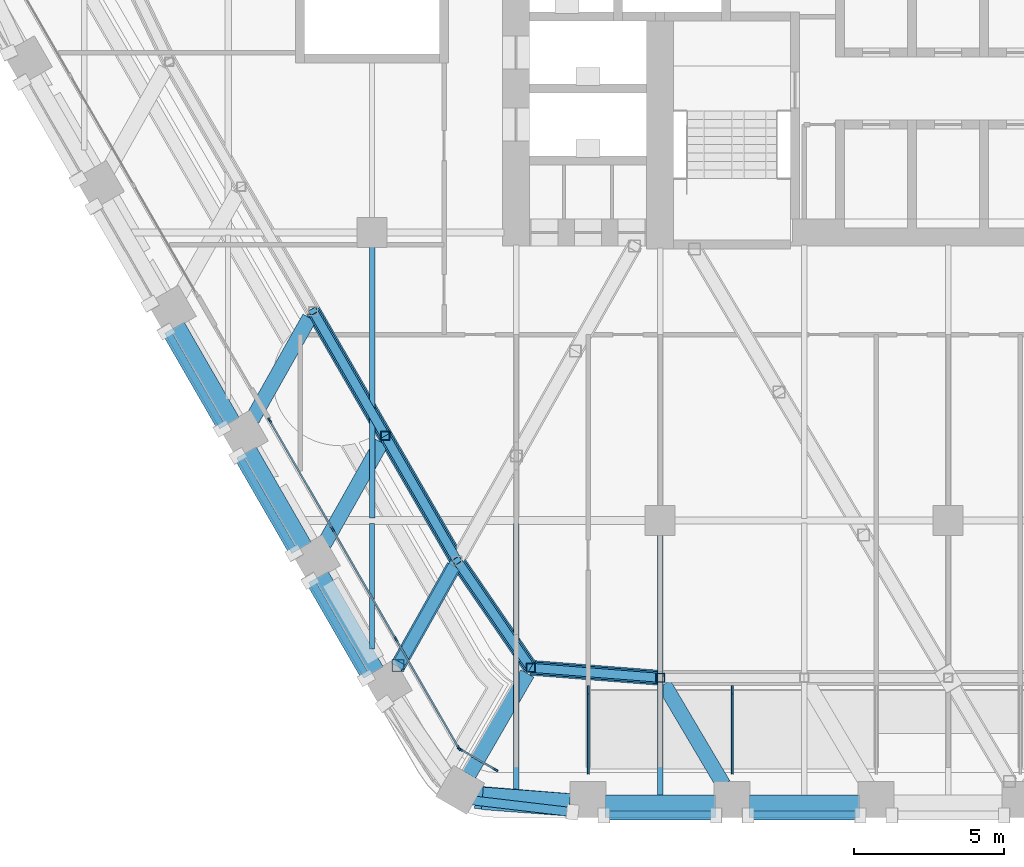
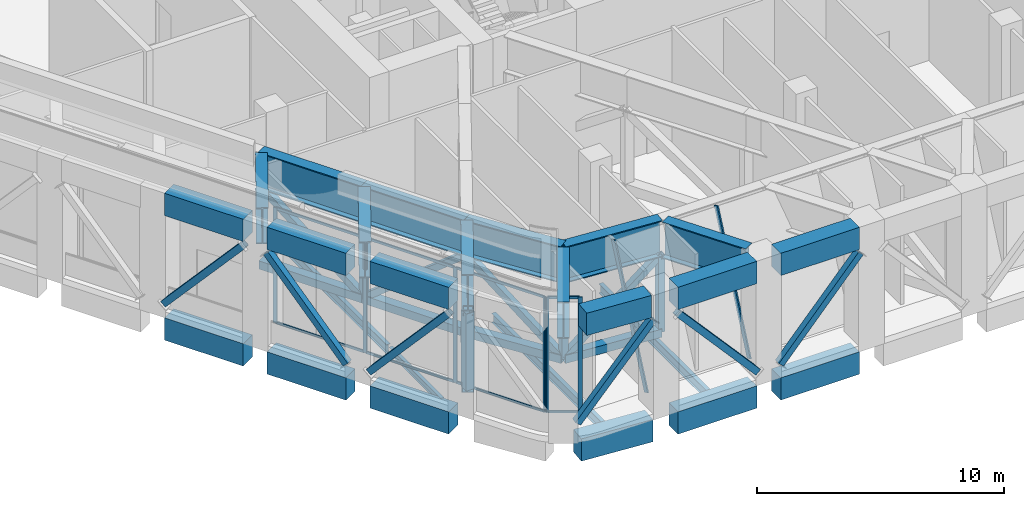
# One storey, part 2 of 27: 36 members, 25 beams, 3 elements without a shape of their own.
"""IFC4 building model written with IfcOpenShell, lengths in metres."""

from ifc_helpers import new_model, si_unit, direction, frame, origin, origin_2d, place, context, subcontext, project, spatial, rectangle, hollow_rectangle, i_section, extrude, material, material_profile, profile_set, type_object, element, aggregate, save


model = new_model("IFC4")

# Units and contexts
model_context = context("Model", 3, precision=1e-05, world=origin(), true_north=direction((0.0, 1.0)))
body_context = subcontext(model_context, "Body", "Model", "MODEL_VIEW")
ifc_project = project(units=[si_unit("LENGTHUNIT", "METRE"), si_unit("AREAUNIT", "SQUARE_METRE"), si_unit("VOLUMEUNIT", "CUBIC_METRE"), si_unit("PLANEANGLEUNIT", "RADIAN"), si_unit("MASSUNIT", "GRAM", prefix="KILO")], contexts=[model_context])

# Site, building, storey
site_placement = place(None, origin())
site = spatial("IfcSite", under=ifc_project, at=site_placement, CompositionType="ELEMENT")
building_placement = place(site_placement, origin())
building = spatial("IfcBuilding", under=site, at=building_placement, Name="Kolab Exchange Tower", CompositionType="ELEMENT")
storey_placement = place(building_placement, frame((0.0, 0.0, 127.39990234375)))
storey = spatial("IfcBuildingStorey", under=building, at=storey_placement, Name="L25", CompositionType="ELEMENT", Elevation=127.39990234375)

# Members
ifc_material_1 = material(Name="Steel S355", Category="steel")
ifc_material_profile_1 = material_profile(ifc_material_1, hollow_rectangle(XDim=0.300048828125, YDim=0.300048828125, WallThickness=0.01611328125, at=origin_2d()), Name="HSS300X300X16")
ifc_profile_set_1 = profile_set([ifc_material_profile_1], Name="Steel S355")
member_type_1 = type_object("IfcMemberType", Name="BELT TRUSS BRACE HSS300X300X16", PredefinedType="BRACE", material=ifc_profile_set_1)
for number, where, z_axis, x_axis, name in (
    (1, (-9.60009765625, -24.44140625, 4.050048828125), (-0.749417906102, 0.058094082849, -0.659543690404), (-0.077287073139, -0.997008880766, 0.0), "mem/L25/ring/d-F4-06"),
    (2, (-13.91796875, -24.106689453125, 0.25), (-0.425043766776, 0.619959660224, 0.659536061198), (-0.824773170365, -0.565463718948, 0.0), "mem/L25/ring/d-F5-01"),
):
    element("IfcMember", number, at=place(storey_placement, frame(where, z_axis=z_axis, x_axis=x_axis)), inside=storey, type_object=member_type_1, Name=name, PredefinedType="BRACE", context=body_context, shape_type="SweptSolid", body=[
        extrude(hollow_rectangle(XDim=0.300048828125, YDim=0.300048828125, WallThickness=0.01611328125, at=origin_2d()), origin(), (0.0, 0.0, 1.0), 5.76171875),
    ])
member_1_placement = place(storey_placement, frame((-16.366943359375, -20.53466796875, 4.050048828125), z_axis=(-0.392038591319, 0.678999195849, -0.620697861244), x_axis=(-0.866015339567, -0.500017431331, 0.0)))
element("IfcMember", 3, at=member_1_placement, inside=storey, type_object=member_type_1, Name="mem/L25/ring/d-F5-02", PredefinedType="BRACE", context=body_context, shape_type="SweptSolid", body=[
    extrude(hollow_rectangle(XDim=0.300048828125, YDim=0.300048828125, WallThickness=0.01611328125, at=origin_2d()), origin(), (0.0, 0.0, 1.0), 6.122314453125),
])
member_2_placement = place(storey_placement, frame((-18.76708984375, -16.377685546875, 0.25), z_axis=(-0.392004841722, 0.679009810783, 0.620707564741), x_axis=(-0.866037363387, -0.499979284789, 0.0)))
element("IfcMember", 4, at=member_2_placement, inside=storey, type_object=member_type_1, Name="mem/L25/ring/d-F5-03", PredefinedType="BRACE", context=body_context, shape_type="SweptSolid", body=[
    extrude(hollow_rectangle(XDim=0.300048828125, YDim=0.300048828125, WallThickness=0.01611328125, at=origin_2d()), origin(), (0.0, 0.0, 1.0), 6.1220703125),
])
for number, where, z_axis, x_axis, name in (
    (5, (-2.937744140625, -29.026611328125, 4.60009765625), (-0.663475226758, 0.0, -0.748198251453), (0.0, -1.0, 0.0), "mem/L25/fb/F4-05"),
    (6, (-7.73779296875, -29.026611328125, 0.400146484375), (-0.663475226758, 0.0, 0.748198251453), (0.0, -1.0, 0.0), "mem/L25/fb/F4-06"),
):
    element("IfcMember", number, at=place(storey_placement, frame(where, z_axis=z_axis, x_axis=x_axis)), inside=storey, type_object=member_type_1, Name=name, PredefinedType="BRACE", context=body_context, shape_type="SweptSolid", body=[
        extrude(hollow_rectangle(XDim=0.300048828125, YDim=0.300048828125, WallThickness=0.01611328125, at=origin_2d()), origin(), (0.0, 0.0, 1.0), 5.613525390625),
    ])
member_3_placement = place(storey_placement, frame((-12.5361328125, -28.91796875, 4.60009765625), z_axis=(-0.618051289973, 0.072711916467, -0.782767896739), x_axis=(-0.116841247567, -0.993150604323, 0.0)))
element("IfcMember", 7, at=member_3_placement, inside=storey, type_object=member_type_1, Name="mem/L25/fb/F4-07", PredefinedType="BRACE", context=body_context, shape_type="SweptSolid", body=[
    extrude(hollow_rectangle(XDim=0.300048828125, YDim=0.300048828125, WallThickness=0.01611328125, at=origin_2d()), origin(), (0.0, 0.0, 1.0), 5.365478515625),
])
member_4_placement = place(storey_placement, frame((-19.40673828125, -24.43994140625, 4.60009765625), z_axis=(-0.331720063492, 0.574584208573, -0.748207716303), x_axis=(-0.866036031404, -0.49998159197, 0.0)))
element("IfcMember", 8, at=member_4_placement, inside=storey, type_object=member_type_1, Name="mem/L25/fb/F5-02", PredefinedType="BRACE", context=body_context, shape_type="SweptSolid", body=[
    extrude(hollow_rectangle(XDim=0.300048828125, YDim=0.300048828125, WallThickness=0.01611328125, at=origin_2d()), origin(), (0.0, 0.0, 1.0), 5.61328125),
])
member_5_placement = place(storey_placement, frame((-21.806640625, -20.282958984375, 0.400146484375), z_axis=(-0.33175876964, 0.574575918421, 0.748196921096), x_axis=(-0.866007645851, -0.500030756381, 0.0)))
element("IfcMember", 9, at=member_5_placement, inside=storey, type_object=member_type_1, Name="mem/L25/fb/F5-03", PredefinedType="BRACE", context=body_context, shape_type="SweptSolid", body=[
    extrude(hollow_rectangle(XDim=0.300048828125, YDim=0.300048828125, WallThickness=0.01611328125, at=origin_2d()), origin(), (0.0, 0.0, 1.0), 5.613525390625),
])
member_6_placement = place(storey_placement, frame((-24.206787109375, -16.1259765625, 4.60009765625), z_axis=(-0.331720063492, 0.574584208573, -0.748207716303), x_axis=(-0.866036031404, -0.49998159197, 0.0)))
element("IfcMember", 10, at=member_6_placement, inside=storey, type_object=member_type_1, Name="mem/L25/fb/F5-04", PredefinedType="BRACE", context=body_context, shape_type="SweptSolid", body=[
    extrude(hollow_rectangle(XDim=0.300048828125, YDim=0.300048828125, WallThickness=0.01611328125, at=origin_2d()), origin(), (0.0, 0.0, 1.0), 5.61328125),
])
ifc_material_profile_2 = material_profile(ifc_material_1, hollow_rectangle(XDim=0.39990234375, YDim=0.39990234375, WallThickness=0.02001953125, at=origin_2d()), Name="HSS400X400X20")
ifc_profile_set_2 = profile_set([ifc_material_profile_2], Name="Steel S355")
member_type_2 = type_object("IfcMemberType", Name="BELT TRUSS CHORD HSS400X400X20", PredefinedType="CHORD", material=ifc_profile_set_2)
for number, where, z_axis, x_axis, name in (
    (11, (-9.60009765625, -24.44140625, 0.25), (-0.997008880766, 0.077287073139, 0.0), (-0.077287073139, -0.997008880766, 0.0), "mem/L25/ring/c-F4-06"),
    (12, (-13.91796875, -24.106689453125, 0.25), (-0.565463718948, 0.824773170365, 0.0), (-0.824773170365, -0.565463718948, 0.0), "mem/L25/ring/c-F5-01"),
):
    element("IfcMember", number, at=place(storey_placement, frame(where, z_axis=z_axis, x_axis=x_axis)), inside=storey, type_object=member_type_2, Name=name, PredefinedType="CHORD", context=body_context, shape_type="SweptSolid", body=[
        extrude(hollow_rectangle(XDim=0.39990234375, YDim=0.39990234375, WallThickness=0.02001953125, at=origin_2d()), origin(), (0.0, 0.0, 1.0), 4.330810546875),
    ])
for number, where, z_axis, x_axis, name in (
    (13, (-16.366943359375, -20.53466796875, 0.25), (-0.500017431331, 0.866015339567, 0.0), (-0.866015339567, -0.500017431331, 0.0), "mem/L25/ring/c-F5-02"),
    (14, (-18.76708984375, -16.377685546875, 0.25), (-0.499979284789, 0.866037363387, 0.0), (-0.866037363387, -0.499979284789, 0.0), "mem/L25/ring/c-F5-03"),
):
    element("IfcMember", number, at=place(storey_placement, frame(where, z_axis=z_axis, x_axis=x_axis)), inside=storey, type_object=member_type_2, Name=name, PredefinedType="CHORD", context=body_context, shape_type="SweptSolid", body=[
        extrude(hollow_rectangle(XDim=0.39990234375, YDim=0.39990234375, WallThickness=0.02001953125, at=origin_2d()), origin(), (0.0, 0.0, 1.0), 4.800048828125),
    ])

# Beams
ifc_material_profile_3 = material_profile(ifc_material_1, i_section(OverallWidth=0.5, OverallDepth=1.800048828125, WebThickness=0.031982421875, FlangeThickness=0.050048828125, at=origin_2d()), Name="PG1800X500")
ifc_profile_set_3 = profile_set([ifc_material_profile_3], Name="Steel S355")
beam_type_1 = type_object("IfcBeamType", Name="BELT TRUSS GIRDER PG1800X500", PredefinedType="BEAM", material=ifc_profile_set_3)
for number, where, z_axis, x_axis, name in (
    (15, (-9.60009765625, -24.44140625, 4.9501953125), (-0.997008880766, 0.077287073139, 0.0), (-0.077287073139, -0.997008880766, 0.0), "beam/L25/bg/F4-out"),
    (16, (-13.91796875, -24.106689453125, 4.9501953125), (-0.565463718948, 0.824773170365, 0.0), (-0.824773170365, -0.565463718948, 0.0), "beam/L25/bg/F5-in"),
):
    element("IfcBeam", number, at=place(storey_placement, frame(where, z_axis=z_axis, x_axis=x_axis)), inside=storey, type_object=beam_type_1, Name=name, PredefinedType="BEAM", context=body_context, shape_type="SweptSolid", body=[
        extrude(i_section(OverallWidth=0.5, OverallDepth=1.800048828125, WebThickness=0.031982421875, FlangeThickness=0.050048828125, at=origin_2d()), origin(), (0.0, 0.0, 1.0), 4.330810546875),
    ])
for number, where, z_axis, x_axis, name in (
    (17, (-16.366943359375, -20.53466796875, 4.9501953125), (-0.500017431331, 0.866015339567, 0.0), (-0.866015339567, -0.500017431331, 0.0), "beam/L25/bg/F5-run0"),
    (18, (-18.76708984375, -16.377685546875, 4.9501953125), (-0.499979284789, 0.866037363387, 0.0), (-0.866037363387, -0.499979284789, 0.0), "beam/L25/bg/F5-run1"),
):
    element("IfcBeam", number, at=place(storey_placement, frame(where, z_axis=z_axis, x_axis=x_axis)), inside=storey, type_object=beam_type_1, Name=name, PredefinedType="BEAM", context=body_context, shape_type="SweptSolid", body=[
        extrude(i_section(OverallWidth=0.5, OverallDepth=1.800048828125, WebThickness=0.031982421875, FlangeThickness=0.050048828125, at=origin_2d()), origin(), (0.0, 0.0, 1.0), 4.800048828125),
    ])

# Members
ifc_material_profile_4 = material_profile(ifc_material_1, hollow_rectangle(XDim=0.300048828125, YDim=0.300048828125, WallThickness=0.01611328125, at=origin_2d()), Name="HSS300X300X16")
ifc_profile_set_4 = profile_set([ifc_material_profile_4], Name="Steel S355")
member_type_3 = type_object("IfcMemberType", Name="BELT TRUSS POST HSS300X300X16", PredefinedType="POST", material=ifc_profile_set_4)
for number, where, z_axis, x_axis, name in (
    (19, (-9.60009765625, -24.44140625, 0.25), (0.0, 0.0, 1.0), (1.0, 0.0, 0.0), "mem/L25/ring/p-F4-06"),
    (20, (-13.91796875, -24.106689453125, 0.25), (0.0, 0.0, 1.0), (1.0, 0.0, 0.0), "mem/L25/ring/p-F5-01"),
    (21, (-18.76708984375, -16.377685546875, 0.25), (0.0, 0.0, 1.0), (1.0, 0.0, 0.0), "mem/L25/ring/p-F5-03"),
):
    element("IfcMember", number, at=place(storey_placement, frame(where, z_axis=z_axis, x_axis=x_axis)), inside=storey, type_object=member_type_3, Name=name, PredefinedType="POST", context=body_context, shape_type="SweptSolid", body=[
        extrude(hollow_rectangle(XDim=0.300048828125, YDim=0.300048828125, WallThickness=0.01611328125, at=origin_2d()), origin(), (0.0, 0.0, 1.0), 3.800048828125),
    ])

# Curtain wall, members
ifc_material_2 = material(Name="Aluminium EN AW-6063 T6", Category="aluminium")
curtain_wall_type_1 = type_object("IfcCurtainWallType", Name="CANTED BAND CURTAIN WALL", PredefinedType="NOTDEFINED", material=ifc_material_2)
curtain_wall_1_placement = place(storey_placement, origin())
curtain_wall_1 = element("IfcCurtainWall", 22, at=curtain_wall_1_placement, inside=storey, type_object=curtain_wall_type_1, Name="band/L25/F4", PredefinedType="NOTDEFINED")
ifc_material_profile_5 = material_profile(ifc_material_2, rectangle(XDim=0.06005859375, YDim=0.300048828125, at=origin_2d()), Name="RECT 60X300")
ifc_profile_set_5 = profile_set([ifc_material_profile_5], Name="Aluminium EN AW-6063 T6")
member_type_4 = type_object("IfcMemberType", Name="CANTED BAND MULLION 60 X 300", PredefinedType="MULLION", material=ifc_profile_set_5)
member_7_placement = place(storey_placement, frame((-7.199951171875, -27.5185546875, -0.099853515625), z_axis=(0.0, 0.410878778787, 0.911689985216), x_axis=(-1.0, 0.0, 0.0)))
member_7 = element("IfcMember", 23, at=member_7_placement, type_object=member_type_4, Name="Band mullion", PredefinedType="MULLION", context=body_context, shape_type="SweptSolid", body=[
    extrude(rectangle(XDim=0.06005859375, YDim=0.300048828125, at=origin_2d()), origin(), (0.0, 0.0, 1.0), 6.515380859375),
])
member_8_placement = place(storey_placement, frame((-12.0, -27.5185546875, -0.099853515625), z_axis=(0.0, 0.410878778787, 0.911689985216), x_axis=(-1.0, 0.0, 0.0)))
member_8 = element("IfcMember", 24, at=member_8_placement, type_object=member_type_4, Name="Band mullion", PredefinedType="MULLION", context=body_context, shape_type="SweptSolid", body=[
    extrude(rectangle(XDim=0.06005859375, YDim=0.300048828125, at=origin_2d()), origin(), (0.0, 0.0, 1.0), 6.515380859375),
])
aggregate(curtain_wall_1, [member_7, member_8])

# Beams
ifc_material_profile_6 = material_profile(ifc_material_1, i_section(OverallWidth=0.1650390625, OverallDepth=0.31005859375, WebThickness=0.005859375, FlangeThickness=0.009765625, at=origin_2d()), Name="W310X39")
ifc_profile_set_6 = profile_set([ifc_material_profile_6], Name="Steel S355")
beam_type_2 = type_object("IfcBeamType", Name="FLOOR BEAM W310X39", PredefinedType="BEAM", material=ifc_profile_set_6)
beam_1_placement = place(storey_placement, frame((-19.199951171875, -23.4814453125, -0.454833984375), z_axis=(0.0, 1.0, 0.0), x_axis=(-1.0, 0.0, 0.0)))
element("IfcBeam", 25, at=beam_1_placement, inside=storey, type_object=beam_type_2, Name="beam/L25/fr/006", PredefinedType="BEAM", context=body_context, shape_type="SweptSolid", body=[
    extrude(i_section(OverallWidth=0.1650390625, OverallDepth=0.31005859375, WebThickness=0.005859375, FlangeThickness=0.009765625, at=origin_2d()), origin(), (0.0, 0.0, 1.0), 4.18798828125),
])
ifc_material_profile_7 = material_profile(ifc_material_1, i_section(OverallWidth=0.18994140625, OverallDepth=0.45703125, WebThickness=0.009033203125, FlangeThickness=0.014404296875, at=origin_2d()), Name="W460X74")
ifc_profile_set_7 = profile_set([ifc_material_profile_7], Name="Steel S355")
beam_type_3 = type_object("IfcBeamType", Name="FLOOR BEAM W460X74", PredefinedType="BEAM", material=ifc_profile_set_7)
beam_2_placement = place(storey_placement, frame((-19.199951171875, -19.1064453125, -0.5283203125), z_axis=(0.0, 1.0, 0.0), x_axis=(-1.0, 0.0, 0.0)))
element("IfcBeam", 26, at=beam_2_placement, inside=storey, type_object=beam_type_3, Name="beam/L25/fr/007", PredefinedType="BEAM", context=body_context, shape_type="SweptSolid", body=[
    extrude(i_section(OverallWidth=0.18994140625, OverallDepth=0.45703125, WebThickness=0.009033203125, FlangeThickness=0.014404296875, at=origin_2d()), origin(), (0.0, 0.0, 1.0), 9.04638671875),
])
beam_3_placement = place(storey_placement, frame((-14.39990234375, -28.194580078125, -0.5283203125), z_axis=(0.0, 1.0, 0.0), x_axis=(-1.0, 0.0, 0.0)))
element("IfcBeam", 27, at=beam_3_placement, inside=storey, type_object=beam_type_3, Name="beam/L25/fr/012", PredefinedType="BEAM", context=body_context, shape_type="SweptSolid", body=[
    extrude(i_section(OverallWidth=0.18994140625, OverallDepth=0.45703125, WebThickness=0.009033203125, FlangeThickness=0.014404296875, at=origin_2d()), origin(), (0.0, 0.0, 1.0), 8.901123046875),
])
beam_4_placement = place(storey_placement, frame((-9.60009765625, -28.388427734375, -0.5283203125), z_axis=(0.0, 1.0, 0.0), x_axis=(-1.0, 0.0, 0.0)))
element("IfcBeam", 28, at=beam_4_placement, inside=storey, type_object=beam_type_3, Name="beam/L25/fr/016", PredefinedType="BEAM", context=body_context, shape_type="SweptSolid", body=[
    extrude(i_section(OverallWidth=0.18994140625, OverallDepth=0.45703125, WebThickness=0.009033203125, FlangeThickness=0.014404296875, at=origin_2d()), origin(), (0.0, 0.0, 1.0), 8.728515625),
])

# Members
ifc_material_profile_8 = material_profile(ifc_material_1, hollow_rectangle(XDim=0.39990234375, YDim=0.39990234375, WallThickness=0.02001953125, at=origin_2d()), Name="HSS400X400X20")
ifc_profile_set_8 = profile_set([ifc_material_profile_8], Name="Steel S355")
member_type_5 = type_object("IfcMemberType", Name="OUTRIGGER BRACE HSS400X400X20", PredefinedType="BRACE", material=ifc_profile_set_8)
member_9_placement = place(storey_placement, frame((-16.47021484375, -20.717529296875, 0.25), z_axis=(-0.347285416227, -0.61663473787, 0.70650862679), x_axis=(0.871316769702, -0.490720986749, 0.0)))
element("IfcMember", 29, at=member_9_placement, inside=storey, type_object=member_type_5, Name="mem/L25/out/04/d03", PredefinedType="BRACE", context=body_context, shape_type="SweptSolid", body=[
    extrude(hollow_rectangle(XDim=0.39990234375, YDim=0.39990234375, WallThickness=0.02001953125, at=origin_2d()), origin(), (0.0, 0.0, 1.0), 5.378662109375),
])
ifc_material_profile_9 = material_profile(ifc_material_1, hollow_rectangle(XDim=0.5, YDim=0.5, WallThickness=0.02490234375, at=origin_2d()), Name="HSS500X500X25")
ifc_profile_set_9 = profile_set([ifc_material_profile_9], Name="Steel S355")
member_type_6 = type_object("IfcMemberType", Name="OUTRIGGER CHORD HSS500X500X25", PredefinedType="CHORD", material=ifc_profile_set_9)
member_10_placement = place(storey_placement, frame((-16.47021484375, -20.717529296875, 0.25), z_axis=(-0.490720986749, -0.871316769702, 0.0), x_axis=(0.871316769702, -0.490720986749, 0.0)))
element("IfcMember", 30, at=member_10_placement, inside=storey, type_object=member_type_6, Name="mem/L25/out/04/c03", PredefinedType="CHORD", context=body_context, shape_type="SweptSolid", body=[
    extrude(hollow_rectangle(XDim=0.5, YDim=0.5, WallThickness=0.02490234375, at=origin_2d()), origin(), (0.0, 0.0, 1.0), 3.806396484375),
])

# Beam
ifc_material_profile_10 = material_profile(ifc_material_1, i_section(OverallWidth=0.5, OverallDepth=1.800048828125, WebThickness=0.031982421875, FlangeThickness=0.050048828125, at=origin_2d()), Name="PG1800X500")
ifc_profile_set_10 = profile_set([ifc_material_profile_10], Name="Steel S355")
beam_type_4 = type_object("IfcBeamType", Name="OUTRIGGER GIRDER PG1800X500", PredefinedType="BEAM", material=ifc_profile_set_10)
beam_5_placement = place(storey_placement, frame((-16.47021484375, -20.717529296875, 4.9501953125), z_axis=(-0.490743303996, -0.87130420037, 0.0), x_axis=(0.87130420037, -0.490743303996, 0.0)))
element("IfcBeam", 31, at=beam_5_placement, inside=storey, type_object=beam_type_4, Name="beam/L25/og/04-03", PredefinedType="BEAM", context=body_context, shape_type="SweptSolid", body=[
    extrude(i_section(OverallWidth=0.5, OverallDepth=1.800048828125, WebThickness=0.031982421875, FlangeThickness=0.050048828125, at=origin_2d()), origin(), (0.0, 0.0, 1.0), 3.8466796875),
])

# Member
ifc_material_profile_11 = material_profile(ifc_material_1, hollow_rectangle(XDim=0.39990234375, YDim=0.39990234375, WallThickness=0.02001953125, at=origin_2d()), Name="HSS400X400X20")
ifc_profile_set_11 = profile_set([ifc_material_profile_11], Name="Steel S355")
member_type_7 = type_object("IfcMemberType", Name="OUTRIGGER POST HSS400X400X20", PredefinedType="POST", material=ifc_profile_set_11)
member_11_placement = place(storey_placement, frame((-18.338134765625, -24.0341796875, 0.25), z_axis=(0.0, 0.0, 1.0), x_axis=(1.0, 0.0, 0.0)))
element("IfcMember", 32, at=member_11_placement, inside=storey, type_object=member_type_7, Name="mem/L25/out/04/p04", PredefinedType="POST", context=body_context, shape_type="SweptSolid", body=[
    extrude(hollow_rectangle(XDim=0.39990234375, YDim=0.39990234375, WallThickness=0.02001953125, at=origin_2d()), origin(), (0.0, 0.0, 1.0), 3.800048828125),
])

# Beams
ifc_material_3 = material(Name="Concrete C70/85", Category="concrete")
ifc_material_profile_12 = material_profile(ifc_material_3, rectangle(XDim=0.75, YDim=1.10009765625, at=origin_2d()), Name="RC750X1100")
ifc_profile_set_12 = profile_set([ifc_material_profile_12], Name="Concrete C70/85")
beam_type_5 = type_object("IfcBeamType", Name="SPANDREL BEAM 750X1100 C70/85", PredefinedType="BEAM", material=ifc_profile_set_12)
for number, where, z_axis, x_axis, name in (
    (33, (-2.9599609375, -28.723388671875, -0.849853515625), (-1.0, 0.0, 0.0), (0.0, -1.0, 0.0), "beam/L25/sp/F4-05"),
    (34, (-7.760009765625, -28.723388671875, -0.849853515625), (-1.0, 0.0, 0.0), (0.0, -1.0, 0.0), "beam/L25/sp/F4-06"),
):
    element("IfcBeam", number, at=place(storey_placement, frame(where, z_axis=z_axis, x_axis=x_axis)), inside=storey, type_object=beam_type_5, Name=name, PredefinedType="BEAM", context=body_context, shape_type="SweptSolid", body=[
        extrude(rectangle(XDim=0.75, YDim=1.10009765625, at=origin_2d()), origin(), (0.0, 0.0, 1.0), 3.679931640625),
    ])
beam_6_placement = place(storey_placement, frame((-12.56005859375, -28.678466796875, -0.849853515625), z_axis=(-0.996791038408, 0.080047646748, 0.0), x_axis=(-0.080047646748, -0.996791038408, 0.0)))
element("IfcBeam", 35, at=beam_6_placement, inside=storey, type_object=beam_type_5, Name="beam/L25/sp/F4-07", PredefinedType="BEAM", context=body_context, shape_type="SweptSolid", body=[
    extrude(rectangle(XDim=0.75, YDim=1.10009765625, at=origin_2d()), origin(), (0.0, 0.0, 1.0), 3.20849609375),
])
for number, where, z_axis, x_axis, name in (
    (36, (-19.1552734375, -24.26904296875, -0.849853515625), (-0.500013413428, 0.866017659399, 0.0), (-0.866017659399, -0.500013413428, 0.0), "beam/L25/sp/F5-02"),
    (37, (-21.55517578125, -20.112060546875, -0.849853515625), (-0.500013413428, 0.866017659399, 0.0), (-0.866017659399, -0.500013413428, 0.0), "beam/L25/sp/F5-03"),
):
    element("IfcBeam", number, at=place(storey_placement, frame(where, z_axis=z_axis, x_axis=x_axis)), inside=storey, type_object=beam_type_5, Name=name, PredefinedType="BEAM", context=body_context, shape_type="SweptSolid", body=[
        extrude(rectangle(XDim=0.75, YDim=1.10009765625, at=origin_2d()), origin(), (0.0, 0.0, 1.0), 3.68017578125),
    ])
for number, where, z_axis, x_axis, name in (
    (38, (-23.955322265625, -15.955322265625, -0.849853515625), (-0.499963655964, 0.866046386007, 0.0), (-0.866046386007, -0.499963655964, 0.0), "beam/L25/sp/F5-04"),
    (39, (-2.9599609375, -28.723388671875, 5.300048828125), (-1.0, 0.0, 0.0), (0.0, -1.0, 0.0), "beam/L25/cp/F4-05"),
    (40, (-7.760009765625, -28.723388671875, 5.300048828125), (-1.0, 0.0, 0.0), (0.0, -1.0, 0.0), "beam/L25/cp/F4-06"),
):
    element("IfcBeam", number, at=place(storey_placement, frame(where, z_axis=z_axis, x_axis=x_axis)), inside=storey, type_object=beam_type_5, Name=name, PredefinedType="BEAM", context=body_context, shape_type="SweptSolid", body=[
        extrude(rectangle(XDim=0.75, YDim=1.10009765625, at=origin_2d()), origin(), (0.0, 0.0, 1.0), 3.679931640625),
    ])
beam_7_placement = place(storey_placement, frame((-12.61865234375, -28.677490234375, 5.300048828125), z_axis=(-0.997175372509, 0.075108431366, 0.0), x_axis=(-0.075108431366, -0.997175372509, 0.0)))
element("IfcBeam", 41, at=beam_7_placement, inside=storey, type_object=beam_type_5, Name="beam/L25/cp/F4-07", PredefinedType="BEAM", context=body_context, shape_type="SweptSolid", body=[
    extrude(rectangle(XDim=0.75, YDim=1.10009765625, at=origin_2d()), origin(), (0.0, 0.0, 1.0), 2.915771484375),
])
for number, where, z_axis, x_axis, name in (
    (42, (-19.1552734375, -24.26904296875, 5.300048828125), (-0.499963655964, 0.866046386007, 0.0), (-0.866046386007, -0.499963655964, 0.0), "beam/L25/cp/F5-02"),
    (43, (-21.55517578125, -20.112060546875, 5.300048828125), (-0.500042141888, 0.866001071787, 0.0), (-0.866001071787, -0.500042141888, 0.0), "beam/L25/cp/F5-03"),
    (44, (-23.955078125, -15.955078125, 5.300048828125), (-0.500042141888, 0.866001071787, 0.0), (-0.866001071787, -0.500042141888, 0.0), "beam/L25/cp/F5-04"),
):
    element("IfcBeam", number, at=place(storey_placement, frame(where, z_axis=z_axis, x_axis=x_axis)), inside=storey, type_object=beam_type_5, Name=name, PredefinedType="BEAM", context=body_context, shape_type="SweptSolid", body=[
        extrude(rectangle(XDim=0.75, YDim=1.10009765625, at=origin_2d()), origin(), (0.0, 0.0, 1.0), 3.679931640625),
    ])
ifc_material_profile_13 = material_profile(ifc_material_1, i_section(OverallWidth=0.5, OverallDepth=1.800048828125, WebThickness=0.031982421875, FlangeThickness=0.050048828125, at=origin_2d()), Name="PG1800X500")
ifc_profile_set_13 = profile_set([ifc_material_profile_13], Name="Steel S355")
beam_type_6 = type_object("IfcBeamType", Name="TRANSFER GIRDER PG1800X500", PredefinedType="BEAM", material=ifc_profile_set_13)
beam_8_placement = place(storey_placement, frame((-9.47265625, -24.65673828125, 4.9501953125), z_axis=(0.509142255304, -0.860682382685, 0.0), x_axis=(0.860682382685, 0.509142255304, 0.0)))
element("IfcBeam", 45, at=beam_8_placement, inside=storey, type_object=beam_type_6, Name="beam/L25/tg/F4-06", PredefinedType="BEAM", context=body_context, shape_type="SweptSolid", body=[
    extrude(i_section(OverallWidth=0.5, OverallDepth=1.800048828125, WebThickness=0.031982421875, FlangeThickness=0.050048828125, at=origin_2d()), origin(), (0.0, 0.0, 1.0), 3.883544921875),
])
beam_9_placement = place(storey_placement, frame((-14.02783203125, -24.297119140625, 4.9501953125), z_axis=(-0.500006760876, -0.866021500355, 0.0), x_axis=(0.866021500355, -0.500006760876, 0.0)))
element("IfcBeam", 46, at=beam_9_placement, inside=storey, type_object=beam_type_6, Name="beam/L25/tg/F5-01", PredefinedType="BEAM", context=body_context, shape_type="SweptSolid", body=[
    extrude(i_section(OverallWidth=0.5, OverallDepth=1.800048828125, WebThickness=0.031982421875, FlangeThickness=0.050048828125, at=origin_2d()), origin(), (0.0, 0.0, 1.0), 3.89013671875),
])
beam_10_placement = place(storey_placement, frame((-18.8896484375, -16.595458984375, 4.9501953125), z_axis=(-0.490774507878, -0.87128662472, 0.0), x_axis=(0.87128662472, -0.490774507878, 0.0)))
element("IfcBeam", 47, at=beam_10_placement, inside=storey, type_object=beam_type_6, Name="beam/L25/tg/F5-03", PredefinedType="BEAM", context=body_context, shape_type="SweptSolid", body=[
    extrude(i_section(OverallWidth=0.5, OverallDepth=1.800048828125, WebThickness=0.031982421875, FlangeThickness=0.050048828125, at=origin_2d()), origin(), (0.0, 0.0, 1.0), 3.8837890625),
])
beam_11_placement = place(storey_placement, frame((-21.289794921875, -12.438720703125, 4.9501953125), z_axis=(-0.490801389835, -0.871271482224, 0.0), x_axis=(0.871271482224, -0.490801389835, 0.0)))
element("IfcBeam", 48, at=beam_11_placement, inside=storey, type_object=beam_type_6, Name="beam/L25/tg/F5-04", PredefinedType="BEAM", context=body_context, shape_type="SweptSolid", body=[
    extrude(i_section(OverallWidth=0.5, OverallDepth=1.800048828125, WebThickness=0.031982421875, FlangeThickness=0.050048828125, at=origin_2d()), origin(), (0.0, 0.0, 1.0), 3.883544921875),
])

# Curtain wall, members
curtain_wall_type_2 = type_object("IfcCurtainWallType", Name="UNITISED LOWER MID ZONE BELT CURTAIN WALL", PredefinedType="NOTDEFINED", material=ifc_material_2)
curtain_wall_2_placement = place(storey_placement, origin())
curtain_wall_2 = element("IfcCurtainWall", 49, at=curtain_wall_2_placement, inside=storey, type_object=curtain_wall_type_2, Name="cw/L25/F5-1", PredefinedType="NOTDEFINED")
ifc_material_profile_14 = material_profile(ifc_material_2, rectangle(XDim=0.06005859375, YDim=0.179931640625, at=origin_2d()), Name="RECT 60X180")
ifc_profile_set_14 = profile_set([ifc_material_profile_14], Name="Aluminium EN AW-6063 T6")
member_type_8 = type_object("IfcMemberType", Name="UNITISED LOWER MID ZONE BELT MULLION 60 X 180", PredefinedType="MULLION", material=ifc_profile_set_14)
member_12_placement = place(storey_placement, frame((-16.312744140625, -26.782470703125, 0.0), z_axis=(0.0, 0.0, 1.0), x_axis=(-0.866025393644, -0.500000017564, 0.0)))
member_12 = element("IfcMember", 50, at=member_12_placement, type_object=member_type_8, Name="CW10 mullion 1", PredefinedType="MULLION", context=body_context, shape_type="SweptSolid", body=[
    extrude(rectangle(XDim=0.06005859375, YDim=0.179931640625, at=origin_2d()), origin(), (0.0, 0.0, 1.0), 5.7001953125),
])
member_13_placement = place(storey_placement, frame((-18.408935546875, -23.151611328125, 0.0), z_axis=(0.0, 0.0, 1.0), x_axis=(-0.866025393644, -0.500000017564, 0.0)))
member_13 = element("IfcMember", 51, at=member_13_placement, type_object=member_type_8, Name="CW10 mullion 2", PredefinedType="MULLION", context=body_context, shape_type="SweptSolid", body=[
    extrude(rectangle(XDim=0.06005859375, YDim=0.179931640625, at=origin_2d()), origin(), (0.0, 0.0, 1.0), 5.7001953125),
])
member_14_placement = place(storey_placement, frame((-20.520263671875, -19.49462890625, 0.0), z_axis=(0.0, 0.0, 1.0), x_axis=(-0.866025393644, -0.500000017564, 0.0)))
member_14 = element("IfcMember", 52, at=member_14_placement, type_object=member_type_8, Name="CW10 mullion 3", PredefinedType="MULLION", context=body_context, shape_type="SweptSolid", body=[
    extrude(rectangle(XDim=0.06005859375, YDim=0.179931640625, at=origin_2d()), origin(), (0.0, 0.0, 1.0), 5.7001953125),
])
member_15_placement = place(storey_placement, frame((-22.61669921875, -15.86376953125, 0.0), z_axis=(0.0, 0.0, 1.0), x_axis=(-0.866025393644, -0.500000017564, 0.0)))
member_15 = element("IfcMember", 53, at=member_15_placement, type_object=member_type_8, Name="CW10 mullion 4", PredefinedType="MULLION", context=body_context, shape_type="SweptSolid", body=[
    extrude(rectangle(XDim=0.06005859375, YDim=0.179931640625, at=origin_2d()), origin(), (0.0, 0.0, 1.0), 5.7001953125),
])

curtain_wall_3_placement = place(storey_placement, origin())
curtain_wall_3 = element("IfcCurtainWall", 54, at=curtain_wall_3_placement, inside=storey, type_object=curtain_wall_type_2, Name="cw/L25/F4F5-corner", PredefinedType="NOTDEFINED")
member_16_placement = place(storey_placement, frame((-15.093994140625, -27.50341796875, 0.0), z_axis=(0.0, 0.0, 1.0), x_axis=(-0.50000002237, -0.866025390869, 0.0)))
member_16 = element("IfcMember", 55, at=member_16_placement, type_object=member_type_8, Name="CW10 mullion 1", PredefinedType="MULLION", context=body_context, shape_type="SweptSolid", body=[
    extrude(rectangle(XDim=0.06005859375, YDim=0.179931640625, at=origin_2d()), origin(), (0.0, 0.0, 1.0), 5.7001953125),
])
member_17_placement = place(storey_placement, frame((-16.271728515625, -26.823486328125, 0.0), z_axis=(0.0, 0.0, 1.0), x_axis=(-0.50000002237, -0.866025390869, 0.0)))
member_17 = element("IfcMember", 56, at=member_17_placement, type_object=member_type_8, Name="CW10 mullion 2", PredefinedType="MULLION", context=body_context, shape_type="SweptSolid", body=[
    extrude(rectangle(XDim=0.06005859375, YDim=0.179931640625, at=origin_2d()), origin(), (0.0, 0.0, 1.0), 5.7001953125),
])

# Member
ifc_material_profile_15 = material_profile(ifc_material_2, rectangle(XDim=0.06005859375, YDim=0.1201171875, at=origin_2d()), Name="RECT 60X120")
ifc_profile_set_15 = profile_set([ifc_material_profile_15], Name="Aluminium EN AW-6063 T6")
member_type_9 = type_object("IfcMemberType", Name="UNITISED LOWER MID ZONE BELT TRANSOM 60 X 120", PredefinedType="USERDEFINED", material=ifc_profile_set_15)
member_18_placement = place(storey_placement, frame((-16.32763671875, -26.756591796875, 0.030029296875), z_axis=(-0.500001996123, 0.866024251319, 0.0), x_axis=(-0.866024251319, -0.500001996123, 0.0)))
member_18 = element("IfcMember", 57, at=member_18_placement, type_object=member_type_9, Name="CW10 transom 1.1", ObjectType="TRANSOM", PredefinedType="USERDEFINED", context=body_context, shape_type="SweptSolid", body=[
    extrude(rectangle(XDim=0.06005859375, YDim=0.1201171875, at=origin_2d()), origin(), (0.0, 0.0, 1.0), 4.1328125),
])

member_19_placement = place(storey_placement, frame((-16.32763671875, -26.756591796875, 5.670166015625), z_axis=(-0.500001996123, 0.866024251319, 0.0), x_axis=(-0.866024251319, -0.500001996123, 0.0)))
member_19 = element("IfcMember", 58, at=member_19_placement, type_object=member_type_9, Name="CW10 transom 1.2", ObjectType="TRANSOM", PredefinedType="USERDEFINED", context=body_context, shape_type="SweptSolid", body=[
    extrude(rectangle(XDim=0.06005859375, YDim=0.1201171875, at=origin_2d()), origin(), (0.0, 0.0, 1.0), 4.1328125),
])

member_20_placement = place(storey_placement, frame((-18.424072265625, -23.12548828125, 0.030029296875), z_axis=(-0.49999322259, 0.866029316688, 0.0), x_axis=(-0.866029316688, -0.49999322259, 0.0)))
member_20 = element("IfcMember", 59, at=member_20_placement, type_object=member_type_9, Name="CW10 transom 2.1", ObjectType="TRANSOM", PredefinedType="USERDEFINED", context=body_context, shape_type="SweptSolid", body=[
    extrude(rectangle(XDim=0.06005859375, YDim=0.1201171875, at=origin_2d()), origin(), (0.0, 0.0, 1.0), 4.16259765625),
])

member_21_placement = place(storey_placement, frame((-18.424072265625, -23.12548828125, 5.670166015625), z_axis=(-0.49999322259, 0.866029316688, 0.0), x_axis=(-0.866029316688, -0.49999322259, 0.0)))
member_21 = element("IfcMember", 60, at=member_21_placement, type_object=member_type_9, Name="CW10 transom 2.2", ObjectType="TRANSOM", PredefinedType="USERDEFINED", context=body_context, shape_type="SweptSolid", body=[
    extrude(rectangle(XDim=0.06005859375, YDim=0.1201171875, at=origin_2d()), origin(), (0.0, 0.0, 1.0), 4.16259765625),
])

member_22_placement = place(storey_placement, frame((-20.535400390625, -19.46875, 0.030029296875), z_axis=(-0.499957688808, 0.866049830784, 0.0), x_axis=(-0.866049830784, -0.499957688808, 0.0)))
member_22 = element("IfcMember", 61, at=member_22_placement, type_object=member_type_9, Name="CW10 transom 3.1", ObjectType="TRANSOM", PredefinedType="USERDEFINED", context=body_context, shape_type="SweptSolid", body=[
    extrude(rectangle(XDim=0.06005859375, YDim=0.1201171875, at=origin_2d()), origin(), (0.0, 0.0, 1.0), 4.132568359375),
])

member_23_placement = place(storey_placement, frame((-20.535400390625, -19.46875, 5.670166015625), z_axis=(-0.499957688808, 0.866049830784, 0.0), x_axis=(-0.866049830784, -0.499957688808, 0.0)))
member_23 = element("IfcMember", 62, at=member_23_placement, type_object=member_type_9, Name="CW10 transom 3.2", ObjectType="TRANSOM", PredefinedType="USERDEFINED", context=body_context, shape_type="SweptSolid", body=[
    extrude(rectangle(XDim=0.06005859375, YDim=0.1201171875, at=origin_2d()), origin(), (0.0, 0.0, 1.0), 4.132568359375),
])

aggregate(curtain_wall_2, [member_12, member_13, member_14, member_15, member_18, member_19, member_20, member_21, member_22, member_23])

member_24_placement = place(storey_placement, frame((-15.119873046875, -27.488525390625, 0.030029296875), z_axis=(-0.866004217611, 0.500036693733, 0.0), x_axis=(-0.500036693733, -0.866004217611, 0.0)))
member_24 = element("IfcMember", 63, at=member_24_placement, type_object=member_type_9, Name="CW10 transom 1.1", ObjectType="TRANSOM", PredefinedType="USERDEFINED", context=body_context, shape_type="SweptSolid", body=[
    extrude(rectangle(XDim=0.06005859375, YDim=0.1201171875, at=origin_2d()), origin(), (0.0, 0.0, 1.0), 1.30029296875),
])

member_25_placement = place(storey_placement, frame((-15.119873046875, -27.488525390625, 5.670166015625), z_axis=(-0.866004217611, 0.500036693733, 0.0), x_axis=(-0.500036693733, -0.866004217611, 0.0)))
member_25 = element("IfcMember", 64, at=member_25_placement, type_object=member_type_9, Name="CW10 transom 1.2", ObjectType="TRANSOM", PredefinedType="USERDEFINED", context=body_context, shape_type="SweptSolid", body=[
    extrude(rectangle(XDim=0.06005859375, YDim=0.1201171875, at=origin_2d()), origin(), (0.0, 0.0, 1.0), 1.30029296875),
])

aggregate(curtain_wall_3, [member_16, member_17, member_24, member_25])

save(model, "model.ifc")
